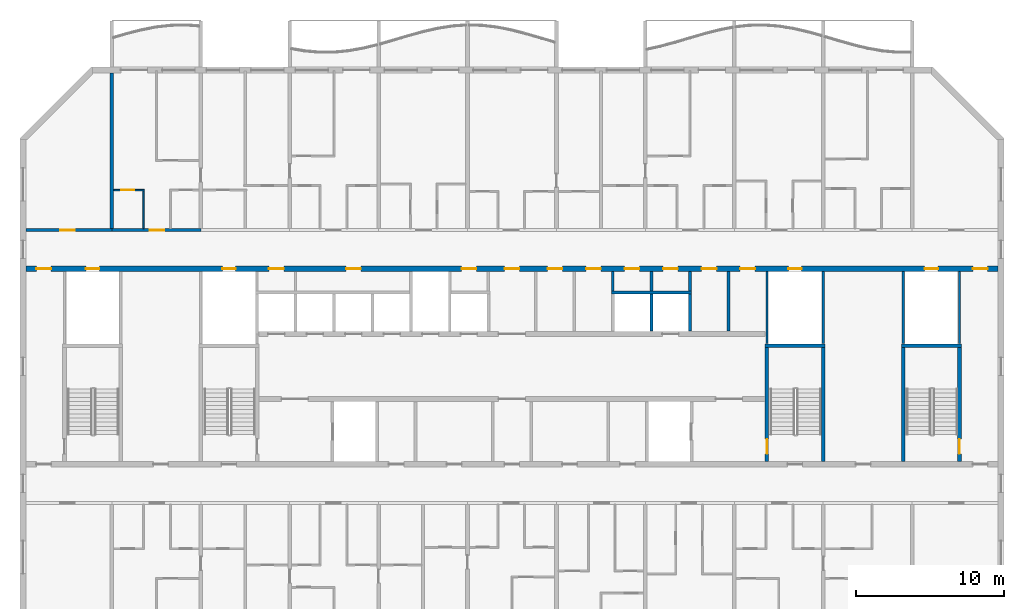
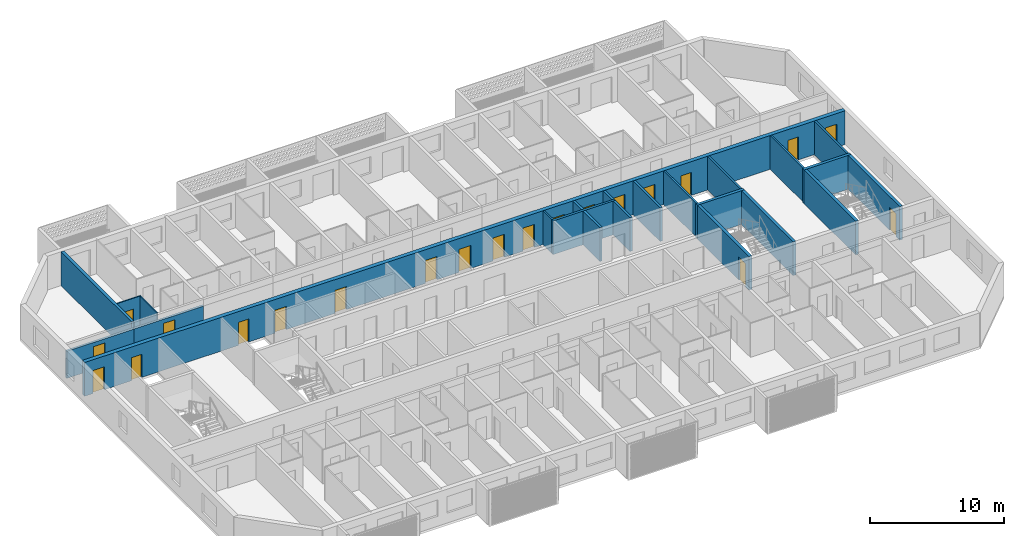
# One storey, part 7 of 29: 23 walls, 21 doors, 21 openings.
"""IFC4 building model written with IfcOpenShell, lengths in metres."""

from ifc_helpers import new_model, si_unit, direction, frame, frame_2d, origin, place, context, subcontext, project, spatial, rectangle, extrude, material, layer, layer_set, type_object, element, fill, save


model = new_model("IFC4")

# Units and contexts
model_context = context("Model", 3, precision=1e-05, world=origin(), true_north=direction((0.0, 1.0)))
body_context = subcontext(model_context, "Body", "Model", "MODEL_VIEW")
ifc_project = project(units=[si_unit("LENGTHUNIT", "METRE"), si_unit("AREAUNIT", "SQUARE_METRE"), si_unit("VOLUMEUNIT", "CUBIC_METRE"), si_unit("PLANEANGLEUNIT", "RADIAN"), si_unit("MASSUNIT", "GRAM", prefix="KILO")], contexts=[model_context])

# Site, building, storey
site_placement = place(None, origin())
site = spatial("IfcSite", under=ifc_project, at=site_placement, CompositionType="ELEMENT")
building_placement = place(site_placement, origin())
building = spatial("IfcBuilding", under=site, at=building_placement, Name="Poui Terraces", CompositionType="ELEMENT")
storey_placement = place(building_placement, frame((0.0, 0.0, 234.60009765625)))
storey = spatial("IfcBuildingStorey", under=building, at=storey_placement, Name="L65", CompositionType="ELEMENT", Elevation=234.60009765625)

# Wall, opening, door
ifc_material_1 = material(Name="Concrete 50 MPa", Category="concrete")
ifc_layer_1 = layer(ifc_material_1, 0.199951171875)
ifc_layer_set_1 = layer_set([ifc_layer_1], Name="Concrete 50 MPa")
wall_type_1 = type_object("IfcWallType", Name="CORRIDOR WALL 200 50MPa", PredefinedType="SHEAR", material=ifc_layer_set_1)
wall_1_placement = place(storey_placement, frame((18.199951171875, 30.39990234375, 0.0), z_axis=(0.0, 0.0, 1.0), x_axis=(1.0, 0.0, 0.0)))
wall_1 = element("IfcWall", 1, at=wall_1_placement, inside=storey, type_object=wall_type_1, Name="CORRIDOR WALL LINE E BAY 1", PredefinedType="SHEAR", context=body_context, shape_type="SweptSolid", body=[
    extrude(rectangle(XDim=5.800048828125, YDim=0.199951171875, at=frame_2d((2.89990234375, 0.0))), origin(), (0.0, 0.0, 1.0), 2.47998046875),
])
opening_1_placement = place(wall_1_placement, frame((2.300048828125, 0.0, 0.0)))
opening_1 = element("IfcOpeningElement", 2, at=opening_1_placement, cuts=wall_1, Name="Opening D100", PredefinedType="OPENING", context=body_context, shape_type="SweptSolid", body=[
    extrude(rectangle(XDim=1.0, YDim=2.10009765625, at=frame_2d((0.5, 1.050048828125))), frame((0.0, 0.10986328125, 0.0), z_axis=(0.0, -1.0, 0.0), x_axis=(1.0, 0.0, 0.0)), (0.0, 0.0, 1.0), 0.219970703125),
])
ifc_material_2 = material(Name="Solid core timber door", Category="wood")
door_type_1 = type_object("IfcDoorType", Name="ACCESSIBLE INTERNAL DOOR 1000 X 2100", OperationType="NOTDEFINED", PredefinedType="DOOR", material=ifc_material_2)
door_1_placement = place(opening_1_placement, origin())
door_1 = element("IfcDoor", 3, at=door_1_placement, inside=storey, type_object=door_type_1, Name="ACCESSIBLE INTERNAL DOOR 028", OperationType="SINGLE_SWING_LEFT", OverallHeight=2.10009765625, OverallWidth=1.0, PredefinedType="DOOR", context=body_context, shape_type="SweptSolid", body=[
    extrude(rectangle(XDim=1.0, YDim=2.10009765625, at=frame_2d((0.5, 1.050048828125))), frame((0.0, 0.02490234375, 0.0), z_axis=(0.0, -1.0, 0.0), x_axis=(1.0, 0.0, 0.0)), (0.0, 0.0, 1.0), 0.050048828125),
])
fill(opening_1, door_1)

wall_2_placement = place(storey_placement, frame((24.0, 30.39990234375, 0.0), z_axis=(0.0, 0.0, 1.0), x_axis=(1.0, 0.0, 0.0)))
wall_2 = element("IfcWall", 4, at=wall_2_placement, inside=storey, type_object=wall_type_1, Name="CORRIDOR WALL LINE E BAY 2", PredefinedType="SHEAR", context=body_context, shape_type="SweptSolid", body=[
    extrude(rectangle(XDim=6.0, YDim=0.199951171875, at=frame_2d((3.0, 0.0))), origin(), (0.0, 0.0, 1.0), 2.47998046875),
])
opening_2_placement = place(wall_2_placement, frame((2.550048828125, 0.0, 0.0)))
opening_2 = element("IfcOpeningElement", 5, at=opening_2_placement, cuts=wall_2, Name="Opening FD30S", PredefinedType="OPENING", context=body_context, shape_type="SweptSolid", body=[
    extrude(rectangle(XDim=1.0, YDim=2.10009765625, at=frame_2d((0.5, 1.050048828125))), frame((0.0, 0.10986328125, 0.0), z_axis=(0.0, -1.0, 0.0), x_axis=(1.0, 0.0, 0.0)), (0.0, 0.0, 1.0), 0.219970703125),
])
ifc_material_3 = material(Name="Steel fire door", Category="steel")
door_type_2 = type_object("IfcDoorType", Name="FLAT ENTRANCE DOOR 1000 X 2100", OperationType="NOTDEFINED", PredefinedType="DOOR", material=ifc_material_3)
door_2_placement = place(opening_2_placement, origin())
door_2 = element("IfcDoor", 6, at=door_2_placement, inside=storey, type_object=door_type_2, Name="FLAT ENTRANCE DOOR 031", OperationType="SINGLE_SWING_RIGHT", OverallHeight=2.10009765625, OverallWidth=1.0, PredefinedType="DOOR", context=body_context, shape_type="SweptSolid", body=[
    extrude(rectangle(XDim=1.0, YDim=2.10009765625, at=frame_2d((0.5, 1.050048828125))), frame((0.0, 0.02490234375, 0.0), z_axis=(0.0, -1.0, 0.0), x_axis=(1.0, 0.0, 0.0)), (0.0, 0.0, 1.0), 0.050048828125),
])
fill(opening_2, door_2)

# Wall
ifc_layer_2 = layer(ifc_material_1, 0.25)
ifc_layer_set_2 = layer_set([ifc_layer_2], Name="Concrete 50 MPa")
wall_type_2 = type_object("IfcWallType", Name="CROSS WALL 250 50MPa", PredefinedType="SHEAR", material=ifc_layer_set_2)
wall_3_placement = place(storey_placement, frame((24.0, 30.5, 0.0), z_axis=(0.0, 0.0, 1.0), x_axis=(0.0, 1.0, 0.0)))
element("IfcWall", 7, at=wall_3_placement, inside=storey, type_object=wall_type_2, Name="CROSS WALL LINE 5 NORTH", PredefinedType="SHEAR", context=body_context, shape_type="SweptSolid", body=[
    extrude(rectangle(XDim=10.5, YDim=0.25, at=frame_2d((5.25, 0.0))), origin(), (0.0, 0.0, 1.0), 3.079833984375),
])

# Wall, opening, door
ifc_material_4 = material(Name="Plasterboard partition")
ifc_layer_3 = layer(ifc_material_4, 0.10009765625)
ifc_layer_set_3 = layer_set([ifc_layer_3], Name="Plasterboard partition")
wall_type_3 = type_object("IfcWallType", Name="FLAT PARTITION 100", PredefinedType="PARTITIONING", material=ifc_layer_set_3)
wall_4_placement = place(storey_placement, frame((24.135009765625, 33.10009765625, 0.0), z_axis=(0.0, 0.0, 1.0), x_axis=(1.0, 0.0, 0.0)))
wall_4 = element("IfcWall", 8, at=wall_4_placement, inside=storey, type_object=wall_type_3, Name="FLAT PARTITION 100", PredefinedType="PARTITIONING", context=body_context, shape_type="SweptSolid", body=[
    extrude(rectangle(XDim=2.06494140625, YDim=0.10009765625, at=frame_2d((1.032470703125, 0.0))), origin(), (0.0, 0.0, 1.0), 3.079833984375),
])
opening_3_placement = place(wall_4_placement, frame((0.489990234375, 0.0, 0.0)))
opening_3 = element("IfcOpeningElement", 9, at=opening_3_placement, cuts=wall_4, Name="Opening D90", PredefinedType="OPENING", context=body_context, shape_type="SweptSolid", body=[
    extrude(rectangle(XDim=0.89990234375, YDim=2.10009765625, at=frame_2d((0.449951171875, 1.050048828125))), frame((0.0, 0.06005859375, 0.0), z_axis=(0.0, -1.0, 0.0), x_axis=(1.0, 0.0, 0.0)), (0.0, 0.0, 1.0), 0.1201171875),
])
door_type_3 = type_object("IfcDoorType", Name="INTERNAL DOOR 900 X 2100", OperationType="NOTDEFINED", PredefinedType="DOOR", material=ifc_material_2)
door_3_placement = place(opening_3_placement, frame((0.89990234375, 0.0, 0.0), z_axis=(0.0, 0.0, 1.0), x_axis=(-1.0, 0.0, 0.0)))
door_3 = element("IfcDoor", 10, at=door_3_placement, inside=storey, type_object=door_type_3, Name="INTERNAL DOOR 030", OperationType="SINGLE_SWING_LEFT", OverallHeight=2.10009765625, OverallWidth=0.89990234375, PredefinedType="DOOR", context=body_context, shape_type="SweptSolid", body=[
    extrude(rectangle(XDim=0.89990234375, YDim=2.10009765625, at=frame_2d((0.449951171875, 1.050048828125))), frame((0.0, 0.02490234375, 0.0), z_axis=(0.0, -1.0, 0.0), x_axis=(1.0, 0.0, 0.0)), (0.0, 0.0, 1.0), 0.050048828125),
])
fill(opening_3, door_3)

# Walls
wall_5_placement = place(storey_placement, frame((26.14990234375, 30.510009765625, 0.0), z_axis=(0.0, 0.0, 1.0), x_axis=(0.0, 1.0, 0.0)))
element("IfcWall", 11, at=wall_5_placement, inside=storey, type_object=wall_type_3, Name="FLAT PARTITION 100", PredefinedType="PARTITIONING", context=body_context, shape_type="SweptSolid", body=[
    extrude(rectangle(XDim=2.5400390625, YDim=0.10009765625, at=frame_2d((1.27001953125, 0.0))), origin(), (0.0, 0.0, 1.0), 3.079833984375),
])
ifc_layer_4 = layer(ifc_material_4, 0.14990234375)
ifc_layer_set_4 = layer_set([ifc_layer_4], Name="Plasterboard partition")
wall_type_4 = type_object("IfcWallType", Name="PARTITION WALL 150", PredefinedType="PARTITIONING", material=ifc_layer_set_4)
wall_6_placement = place(storey_placement, frame((57.800048828125, 26.300048828125, 0.0), z_axis=(0.0, 0.0, 1.0), x_axis=(0.0, 1.0, 0.0)))
element("IfcWall", 12, at=wall_6_placement, inside=storey, type_object=wall_type_4, Name="PARTITION WALL 150", PredefinedType="PARTITIONING", context=body_context, shape_type="SweptSolid", body=[
    extrude(rectangle(XDim=1.31494140625, YDim=0.14990234375, at=frame_2d((0.657470703125, 0.0))), origin(), (0.0, 0.0, 1.0), 3.079833984375),
])
ifc_material_5 = material(Name="Fire-rated masonry wall", Category="masonry")
ifc_layer_5 = layer(ifc_material_5, 0.199951171875)
ifc_layer_set_5 = layer_set([ifc_layer_5], Name="Fire-rated masonry wall")
wall_type_5 = type_object("IfcWallType", Name="PLANT ROOM WALL 200", PredefinedType="PARTITIONING", material=ifc_layer_set_5)
for number, where, z_axis, x_axis, name in (
    (13, (60.39990234375, 26.300048828125, 0.0), (0.0, 0.0, 1.0), (0.0, 1.0, 0.0), "PLANT ROOM WALL 200"),
    (14, (63.0, 26.300048828125, 0.0), (0.0, 0.0, 1.0), (0.0, 1.0, 0.0), "PLANT ROOM WALL 200"),
):
    element("IfcWall", number, at=place(storey_placement, frame(where, z_axis=z_axis, x_axis=x_axis)), inside=storey, type_object=wall_type_5, Name=name, PredefinedType="PARTITIONING", context=body_context, shape_type="SweptSolid", body=[
        extrude(rectangle(XDim=1.31494140625, YDim=0.199951171875, at=frame_2d((0.657470703125, 0.0))), origin(), (0.0, 0.0, 1.0), 3.079833984375),
    ])
wall_7_placement = place(storey_placement, frame((65.60009765625, 23.5849609375, 0.0), z_axis=(0.0, 0.0, 1.0), x_axis=(0.0, 1.0, 0.0)))
element("IfcWall", 15, at=wall_7_placement, inside=storey, type_object=wall_type_5, Name="PLANT ROOM WALL 200", PredefinedType="PARTITIONING", context=body_context, shape_type="SweptSolid", body=[
    extrude(rectangle(XDim=4.030029296875, YDim=0.199951171875, at=frame_2d((2.01513671875, 0.0))), origin(), (0.0, 0.0, 1.0), 3.079833984375),
])
ifc_material_6 = material(Name="Fire-rated plasterboard riser wall")
ifc_layer_6 = layer(ifc_material_6, 0.14990234375)
ifc_layer_set_6 = layer_set([ifc_layer_6], Name="Fire-rated plasterboard riser wall")
wall_type_6 = type_object("IfcWallType", Name="RISER WALL 150", PredefinedType="PARTITIONING", material=ifc_layer_set_6)
for number, where, z_axis, x_axis, name in (
    (16, (68.199951171875, 22.735107421875, 0.0), (0.0, 0.0, 1.0), (0.0, 1.0, 0.0), "RISER WALL 150"),
    (17, (72.0, 22.735107421875, 0.0), (0.0, 0.0, 1.0), (0.0, 1.0, 0.0), "RISER WALL 150"),
    (18, (77.39990234375, 22.735107421875, 0.0), (0.0, 0.0, 1.0), (0.0, 1.0, 0.0), "RISER WALL 150"),
    (19, (81.199951171875, 22.735107421875, 0.0), (0.0, 0.0, 1.0), (0.0, 1.0, 0.0), "RISER WALL 150"),
):
    element("IfcWall", number, at=place(storey_placement, frame(where, z_axis=z_axis, x_axis=x_axis)), inside=storey, type_object=wall_type_6, Name=name, PredefinedType="PARTITIONING", context=body_context, shape_type="SweptSolid", body=[
        extrude(rectangle(XDim=4.8798828125, YDim=0.14990234375, at=frame_2d((2.43994140625, 0.0))), origin(), (0.0, 0.0, 1.0), 3.079833984375),
    ])
ifc_material_7 = material(Name="Fire-rated masonry shaft wall", Category="masonry")
ifc_layer_7 = layer(ifc_material_7, 0.199951171875)
ifc_layer_set_7 = layer_set([ifc_layer_7], Name="Fire-rated masonry shaft wall")
wall_type_7 = type_object("IfcWallType", Name="SHAFT WALL 200", PredefinedType="PARTITIONING", material=ifc_layer_set_7)
wall_8_placement = place(storey_placement, frame((57.699951171875, 26.199951171875, 0.0), z_axis=(0.0, 0.0, 1.0), x_axis=(1.0, 0.0, 0.0)))
element("IfcWall", 20, at=wall_8_placement, inside=storey, type_object=wall_type_7, Name="SHAFT WALL 200", PredefinedType="PARTITIONING", context=body_context, shape_type="SweptSolid", body=[
    extrude(rectangle(XDim=5.400146484375, YDim=0.199951171875, at=frame_2d((2.7001953125, 0.0))), origin(), (0.0, 0.0, 1.0), 3.079833984375),
])
for number, where, z_axis, x_axis, name in (
    (21, (60.39990234375, 23.5849609375, 0.0), (0.0, 0.0, 1.0), (0.0, 1.0, 0.0), "SHAFT WALL 200"),
    (22, (63.0, 23.5849609375, 0.0), (0.0, 0.0, 1.0), (0.0, 1.0, 0.0), "SHAFT WALL 200"),
):
    element("IfcWall", number, at=place(storey_placement, frame(where, z_axis=z_axis, x_axis=x_axis)), inside=storey, type_object=wall_type_7, Name=name, PredefinedType="PARTITIONING", context=body_context, shape_type="SweptSolid", body=[
        extrude(rectangle(XDim=2.51513671875, YDim=0.199951171875, at=frame_2d((1.257568359375, 0.0))), origin(), (0.0, 0.0, 1.0), 3.079833984375),
    ])

# Wall, openings, doors
ifc_layer_8 = layer(ifc_material_1, 0.35009765625)
ifc_layer_set_8 = layer_set([ifc_layer_8], Name="Concrete 50 MPa")
wall_type_8 = type_object("IfcWallType", Name="SPINE WALL 350 50 MPA", PredefinedType="SOLIDWALL", material=ifc_layer_set_8)
wall_9_placement = place(storey_placement, frame((18.199951171875, 27.800048828125, 0.0), z_axis=(0.0, 0.0, 1.0), x_axis=(1.0, 0.0, 0.0)))
wall_9 = element("IfcWall", 23, at=wall_9_placement, inside=storey, type_object=wall_type_8, Name="SPINE WALL", PredefinedType="SOLIDWALL", context=body_context, shape_type="SweptSolid", body=[
    extrude(rectangle(XDim=65.60009765625, YDim=0.35009765625, at=frame_2d((32.800048828125, 0.0))), origin(), (0.0, 0.0, 1.0), 3.079833984375),
])
opening_4_placement = place(wall_9_placement, frame((0.699951171875, 0.0, 0.0)))
opening_4 = element("IfcOpeningElement", 24, at=opening_4_placement, cuts=wall_9, Name="Opening FDL", PredefinedType="OPENING", context=body_context, shape_type="SweptSolid", body=[
    extrude(rectangle(XDim=1.0, YDim=2.10009765625, at=frame_2d((0.5, 1.050048828125))), frame((0.0, 0.18505859375, 0.0), z_axis=(0.0, -1.0, 0.0), x_axis=(1.0, 0.0, 0.0)), (0.0, 0.0, 1.0), 0.3701171875),
])
opening_5_placement = place(wall_9_placement, frame((4.050048828125, 0.0, 0.0)))
opening_5 = element("IfcOpeningElement", 25, at=opening_5_placement, cuts=wall_9, Name="Opening FDR", PredefinedType="OPENING", context=body_context, shape_type="SweptSolid", body=[
    extrude(rectangle(XDim=0.89990234375, YDim=2.10009765625, at=frame_2d((0.449951171875, 1.050048828125))), frame((0.0, 0.18505859375, 0.0), z_axis=(0.0, -1.0, 0.0), x_axis=(1.0, 0.0, 0.0)), (0.0, 0.0, 1.0), 0.3701171875),
])
opening_6_placement = place(wall_9_placement, frame((13.25, 0.0, 0.0)))
opening_6 = element("IfcOpeningElement", 26, at=opening_6_placement, cuts=wall_9, Name="Opening FDR", PredefinedType="OPENING", context=body_context, shape_type="SweptSolid", body=[
    extrude(rectangle(XDim=0.89990234375, YDim=2.10009765625, at=frame_2d((0.449951171875, 1.050048828125))), frame((0.0, 0.18505859375, 0.0), z_axis=(0.0, -1.0, 0.0), x_axis=(1.0, 0.0, 0.0)), (0.0, 0.0, 1.0), 0.3701171875),
])
opening_7_placement = place(wall_9_placement, frame((16.39990234375, 0.0, 0.0)))
opening_7 = element("IfcOpeningElement", 27, at=opening_7_placement, cuts=wall_9, Name="Opening FD60", PredefinedType="OPENING", context=body_context, shape_type="SweptSolid", body=[
    extrude(rectangle(XDim=1.0, YDim=2.10009765625, at=frame_2d((0.5, 1.050048828125))), frame((0.0, 0.18505859375, 0.0), z_axis=(0.0, -1.0, 0.0), x_axis=(1.0, 0.0, 0.0)), (0.0, 0.0, 1.0), 0.3701171875),
])
opening_8_placement = place(wall_9_placement, frame((21.60009765625, 0.0, 0.0)))
opening_8 = element("IfcOpeningElement", 28, at=opening_8_placement, cuts=wall_9, Name="Opening FD60", PredefinedType="OPENING", context=body_context, shape_type="SweptSolid", body=[
    extrude(rectangle(XDim=1.0, YDim=2.10009765625, at=frame_2d((0.5, 1.050048828125))), frame((0.0, 0.18505859375, 0.0), z_axis=(0.0, -1.0, 0.0), x_axis=(1.0, 0.0, 0.0)), (0.0, 0.0, 1.0), 0.3701171875),
])
opening_9_placement = place(wall_9_placement, frame((29.39990234375, 0.0, 0.0)))
opening_9 = element("IfcOpeningElement", 29, at=opening_9_placement, cuts=wall_9, Name="Opening FD60", PredefinedType="OPENING", context=body_context, shape_type="SweptSolid", body=[
    extrude(rectangle(XDim=1.0, YDim=2.10009765625, at=frame_2d((0.5, 1.050048828125))), frame((0.0, 0.18505859375, 0.0), z_axis=(0.0, -1.0, 0.0), x_axis=(1.0, 0.0, 0.0)), (0.0, 0.0, 1.0), 0.3701171875),
])
opening_10_placement = place(wall_9_placement, frame((32.300048828125, 0.0, 0.0)))
opening_10 = element("IfcOpeningElement", 30, at=opening_10_placement, cuts=wall_9, Name="Opening FDL", PredefinedType="OPENING", context=body_context, shape_type="SweptSolid", body=[
    extrude(rectangle(XDim=1.0, YDim=2.10009765625, at=frame_2d((0.5, 1.050048828125))), frame((0.0, 0.18505859375, 0.0), z_axis=(0.0, -1.0, 0.0), x_axis=(1.0, 0.0, 0.0)), (0.0, 0.0, 1.0), 0.3701171875),
])
opening_11_placement = place(wall_9_placement, frame((35.199951171875, 0.0, 0.0)))
opening_11 = element("IfcOpeningElement", 31, at=opening_11_placement, cuts=wall_9, Name="Opening FD60", PredefinedType="OPENING", context=body_context, shape_type="SweptSolid", body=[
    extrude(rectangle(XDim=1.0, YDim=2.10009765625, at=frame_2d((0.5, 1.050048828125))), frame((0.0, 0.18505859375, 0.0), z_axis=(0.0, -1.0, 0.0), x_axis=(1.0, 0.0, 0.0)), (0.0, 0.0, 1.0), 0.3701171875),
])
opening_12_placement = place(wall_9_placement, frame((37.800048828125, 0.0, 0.0)))
opening_12 = element("IfcOpeningElement", 32, at=opening_12_placement, cuts=wall_9, Name="Opening FD60", PredefinedType="OPENING", context=body_context, shape_type="SweptSolid", body=[
    extrude(rectangle(XDim=1.0, YDim=2.10009765625, at=frame_2d((0.5, 1.050048828125))), frame((0.0, 0.18505859375, 0.0), z_axis=(0.0, -1.0, 0.0), x_axis=(1.0, 0.0, 0.0)), (0.0, 0.0, 1.0), 0.3701171875),
])
opening_13_placement = place(wall_9_placement, frame((40.39990234375, 0.0, 0.0)))
opening_13 = element("IfcOpeningElement", 33, at=opening_13_placement, cuts=wall_9, Name="Opening FD60", PredefinedType="OPENING", context=body_context, shape_type="SweptSolid", body=[
    extrude(rectangle(XDim=1.0, YDim=2.10009765625, at=frame_2d((0.5, 1.050048828125))), frame((0.0, 0.18505859375, 0.0), z_axis=(0.0, -1.0, 0.0), x_axis=(1.0, 0.0, 0.0)), (0.0, 0.0, 1.0), 0.3701171875),
])
opening_14_placement = place(wall_9_placement, frame((43.0, 0.0, 0.0)))
opening_14 = element("IfcOpeningElement", 34, at=opening_14_placement, cuts=wall_9, Name="Opening FD60", PredefinedType="OPENING", context=body_context, shape_type="SweptSolid", body=[
    extrude(rectangle(XDim=1.0, YDim=2.10009765625, at=frame_2d((0.5, 1.050048828125))), frame((0.0, 0.18505859375, 0.0), z_axis=(0.0, -1.0, 0.0), x_axis=(1.0, 0.0, 0.0)), (0.0, 0.0, 1.0), 0.3701171875),
])
opening_15_placement = place(wall_9_placement, frame((45.60009765625, 0.0, 0.0)))
opening_15 = element("IfcOpeningElement", 35, at=opening_15_placement, cuts=wall_9, Name="Opening FD60", PredefinedType="OPENING", context=body_context, shape_type="SweptSolid", body=[
    extrude(rectangle(XDim=1.0, YDim=2.10009765625, at=frame_2d((0.5, 1.050048828125))), frame((0.0, 0.18505859375, 0.0), z_axis=(0.0, -1.0, 0.0), x_axis=(1.0, 0.0, 0.0)), (0.0, 0.0, 1.0), 0.3701171875),
])
opening_16_placement = place(wall_9_placement, frame((48.199951171875, 0.0, 0.0)))
opening_16 = element("IfcOpeningElement", 36, at=opening_16_placement, cuts=wall_9, Name="Opening FD60", PredefinedType="OPENING", context=body_context, shape_type="SweptSolid", body=[
    extrude(rectangle(XDim=1.0, YDim=2.10009765625, at=frame_2d((0.5, 1.050048828125))), frame((0.0, 0.18505859375, 0.0), z_axis=(0.0, -1.0, 0.0), x_axis=(1.0, 0.0, 0.0)), (0.0, 0.0, 1.0), 0.3701171875),
])
opening_17_placement = place(wall_9_placement, frame((51.449951171875, 0.0, 0.0)))
opening_17 = element("IfcOpeningElement", 37, at=opening_17_placement, cuts=wall_9, Name="Opening FDR", PredefinedType="OPENING", context=body_context, shape_type="SweptSolid", body=[
    extrude(rectangle(XDim=0.89990234375, YDim=2.10009765625, at=frame_2d((0.449951171875, 1.050048828125))), frame((0.0, 0.18505859375, 0.0), z_axis=(0.0, -1.0, 0.0), x_axis=(1.0, 0.0, 0.0)), (0.0, 0.0, 1.0), 0.3701171875),
])
opening_18_placement = place(wall_9_placement, frame((60.64990234375, 0.0, 0.0)))
opening_18 = element("IfcOpeningElement", 38, at=opening_18_placement, cuts=wall_9, Name="Opening FDR", PredefinedType="OPENING", context=body_context, shape_type="SweptSolid", body=[
    extrude(rectangle(XDim=0.89990234375, YDim=2.10009765625, at=frame_2d((0.449951171875, 1.050048828125))), frame((0.0, 0.18505859375, 0.0), z_axis=(0.0, -1.0, 0.0), x_axis=(1.0, 0.0, 0.0)), (0.0, 0.0, 1.0), 0.3701171875),
])
opening_19_placement = place(wall_9_placement, frame((63.89990234375, 0.0, 0.0)))
opening_19 = element("IfcOpeningElement", 39, at=opening_19_placement, cuts=wall_9, Name="Opening FDL", PredefinedType="OPENING", context=body_context, shape_type="SweptSolid", body=[
    extrude(rectangle(XDim=1.0, YDim=2.10009765625, at=frame_2d((0.5, 1.050048828125))), frame((0.0, 0.18505859375, 0.0), z_axis=(0.0, -1.0, 0.0), x_axis=(1.0, 0.0, 0.0)), (0.0, 0.0, 1.0), 0.3701171875),
])
door_type_4 = type_object("IfcDoorType", Name="LOBBY FIRE DOOR 1000 X 2100", OperationType="NOTDEFINED", PredefinedType="DOOR", material=ifc_material_3)
door_4_placement = place(opening_4_placement, origin())
door_4 = element("IfcDoor", 40, at=door_4_placement, inside=storey, type_object=door_type_4, Name="LOBBY FIRE DOOR 001", OperationType="SINGLE_SWING_LEFT", OverallHeight=2.10009765625, OverallWidth=1.0, PredefinedType="DOOR", context=body_context, shape_type="SweptSolid", body=[
    extrude(rectangle(XDim=1.0, YDim=2.10009765625, at=frame_2d((0.5, 1.050048828125))), frame((0.0, 0.02490234375, 0.0), z_axis=(0.0, -1.0, 0.0), x_axis=(1.0, 0.0, 0.0)), (0.0, 0.0, 1.0), 0.050048828125),
])
fill(opening_4, door_4)
door_5_placement = place(opening_10_placement, origin())
door_5 = element("IfcDoor", 41, at=door_5_placement, inside=storey, type_object=door_type_4, Name="LOBBY FIRE DOOR 007", OperationType="SINGLE_SWING_RIGHT", OverallHeight=2.10009765625, OverallWidth=1.0, PredefinedType="DOOR", context=body_context, shape_type="SweptSolid", body=[
    extrude(rectangle(XDim=1.0, YDim=2.10009765625, at=frame_2d((0.5, 1.050048828125))), frame((0.0, 0.02490234375, 0.0), z_axis=(0.0, -1.0, 0.0), x_axis=(1.0, 0.0, 0.0)), (0.0, 0.0, 1.0), 0.050048828125),
])
fill(opening_10, door_5)
door_6_placement = place(opening_19_placement, origin())
door_6 = element("IfcDoor", 42, at=door_6_placement, inside=storey, type_object=door_type_4, Name="LOBBY FIRE DOOR 016", OperationType="SINGLE_SWING_RIGHT", OverallHeight=2.10009765625, OverallWidth=1.0, PredefinedType="DOOR", context=body_context, shape_type="SweptSolid", body=[
    extrude(rectangle(XDim=1.0, YDim=2.10009765625, at=frame_2d((0.5, 1.050048828125))), frame((0.0, 0.02490234375, 0.0), z_axis=(0.0, -1.0, 0.0), x_axis=(1.0, 0.0, 0.0)), (0.0, 0.0, 1.0), 0.050048828125),
])
fill(opening_19, door_6)
door_type_5 = type_object("IfcDoorType", Name="RISER CUPBOARD DOOR 900 X 2100", OperationType="NOTDEFINED", PredefinedType="DOOR", material=ifc_material_3)
door_7_placement = place(opening_5_placement, origin())
door_7 = element("IfcDoor", 43, at=door_7_placement, inside=storey, type_object=door_type_5, Name="RISER CUPBOARD DOOR 002", OperationType="SINGLE_SWING_LEFT", OverallHeight=2.10009765625, OverallWidth=0.89990234375, PredefinedType="DOOR", context=body_context, shape_type="SweptSolid", body=[
    extrude(rectangle(XDim=0.89990234375, YDim=2.10009765625, at=frame_2d((0.449951171875, 1.050048828125))), frame((0.0, 0.02490234375, 0.0), z_axis=(0.0, -1.0, 0.0), x_axis=(1.0, 0.0, 0.0)), (0.0, 0.0, 1.0), 0.050048828125),
])
fill(opening_5, door_7)
door_8_placement = place(opening_6_placement, origin())
door_8 = element("IfcDoor", 44, at=door_8_placement, inside=storey, type_object=door_type_5, Name="RISER CUPBOARD DOOR 003", OperationType="SINGLE_SWING_LEFT", OverallHeight=2.10009765625, OverallWidth=0.89990234375, PredefinedType="DOOR", context=body_context, shape_type="SweptSolid", body=[
    extrude(rectangle(XDim=0.89990234375, YDim=2.10009765625, at=frame_2d((0.449951171875, 1.050048828125))), frame((0.0, 0.02490234375, 0.0), z_axis=(0.0, -1.0, 0.0), x_axis=(1.0, 0.0, 0.0)), (0.0, 0.0, 1.0), 0.050048828125),
])
fill(opening_6, door_8)
door_9_placement = place(opening_17_placement, origin())
door_9 = element("IfcDoor", 45, at=door_9_placement, inside=storey, type_object=door_type_5, Name="RISER CUPBOARD DOOR 014", OperationType="SINGLE_SWING_RIGHT", OverallHeight=2.10009765625, OverallWidth=0.89990234375, PredefinedType="DOOR", context=body_context, shape_type="SweptSolid", body=[
    extrude(rectangle(XDim=0.89990234375, YDim=2.10009765625, at=frame_2d((0.449951171875, 1.050048828125))), frame((0.0, 0.02490234375, 0.0), z_axis=(0.0, -1.0, 0.0), x_axis=(1.0, 0.0, 0.0)), (0.0, 0.0, 1.0), 0.050048828125),
])
fill(opening_17, door_9)
door_10_placement = place(opening_18_placement, origin())
door_10 = element("IfcDoor", 46, at=door_10_placement, inside=storey, type_object=door_type_5, Name="RISER CUPBOARD DOOR 015", OperationType="SINGLE_SWING_RIGHT", OverallHeight=2.10009765625, OverallWidth=0.89990234375, PredefinedType="DOOR", context=body_context, shape_type="SweptSolid", body=[
    extrude(rectangle(XDim=0.89990234375, YDim=2.10009765625, at=frame_2d((0.449951171875, 1.050048828125))), frame((0.0, 0.02490234375, 0.0), z_axis=(0.0, -1.0, 0.0), x_axis=(1.0, 0.0, 0.0)), (0.0, 0.0, 1.0), 0.050048828125),
])
fill(opening_18, door_10)
door_type_6 = type_object("IfcDoorType", Name="SERVICE ROOM FIRE DOOR 1000 X 2100", OperationType="NOTDEFINED", PredefinedType="DOOR", material=ifc_material_3)
door_11_placement = place(opening_7_placement, origin())
door_11 = element("IfcDoor", 47, at=door_11_placement, inside=storey, type_object=door_type_6, Name="SERVICE ROOM FIRE DOOR 004", OperationType="SINGLE_SWING_LEFT", OverallHeight=2.10009765625, OverallWidth=1.0, PredefinedType="DOOR", context=body_context, shape_type="SweptSolid", body=[
    extrude(rectangle(XDim=1.0, YDim=2.10009765625, at=frame_2d((0.5, 1.050048828125))), frame((0.0, 0.02490234375, 0.0), z_axis=(0.0, -1.0, 0.0), x_axis=(1.0, 0.0, 0.0)), (0.0, 0.0, 1.0), 0.050048828125),
])
fill(opening_7, door_11)
door_12_placement = place(opening_8_placement, origin())
door_12 = element("IfcDoor", 48, at=door_12_placement, inside=storey, type_object=door_type_6, Name="SERVICE ROOM FIRE DOOR 005", OperationType="SINGLE_SWING_RIGHT", OverallHeight=2.10009765625, OverallWidth=1.0, PredefinedType="DOOR", context=body_context, shape_type="SweptSolid", body=[
    extrude(rectangle(XDim=1.0, YDim=2.10009765625, at=frame_2d((0.5, 1.050048828125))), frame((0.0, 0.02490234375, 0.0), z_axis=(0.0, -1.0, 0.0), x_axis=(1.0, 0.0, 0.0)), (0.0, 0.0, 1.0), 0.050048828125),
])
fill(opening_8, door_12)
door_13_placement = place(opening_9_placement, origin())
door_13 = element("IfcDoor", 49, at=door_13_placement, inside=storey, type_object=door_type_6, Name="SERVICE ROOM FIRE DOOR 006", OperationType="SINGLE_SWING_LEFT", OverallHeight=2.10009765625, OverallWidth=1.0, PredefinedType="DOOR", context=body_context, shape_type="SweptSolid", body=[
    extrude(rectangle(XDim=1.0, YDim=2.10009765625, at=frame_2d((0.5, 1.050048828125))), frame((0.0, 0.02490234375, 0.0), z_axis=(0.0, -1.0, 0.0), x_axis=(1.0, 0.0, 0.0)), (0.0, 0.0, 1.0), 0.050048828125),
])
fill(opening_9, door_13)
door_14_placement = place(opening_11_placement, origin())
door_14 = element("IfcDoor", 50, at=door_14_placement, inside=storey, type_object=door_type_6, Name="SERVICE ROOM FIRE DOOR 008", OperationType="SINGLE_SWING_RIGHT", OverallHeight=2.10009765625, OverallWidth=1.0, PredefinedType="DOOR", context=body_context, shape_type="SweptSolid", body=[
    extrude(rectangle(XDim=1.0, YDim=2.10009765625, at=frame_2d((0.5, 1.050048828125))), frame((0.0, 0.02490234375, 0.0), z_axis=(0.0, -1.0, 0.0), x_axis=(1.0, 0.0, 0.0)), (0.0, 0.0, 1.0), 0.050048828125),
])
fill(opening_11, door_14)
door_15_placement = place(opening_12_placement, origin())
door_15 = element("IfcDoor", 51, at=door_15_placement, inside=storey, type_object=door_type_6, Name="SERVICE ROOM FIRE DOOR 009", OperationType="SINGLE_SWING_LEFT", OverallHeight=2.10009765625, OverallWidth=1.0, PredefinedType="DOOR", context=body_context, shape_type="SweptSolid", body=[
    extrude(rectangle(XDim=1.0, YDim=2.10009765625, at=frame_2d((0.5, 1.050048828125))), frame((0.0, 0.02490234375, 0.0), z_axis=(0.0, -1.0, 0.0), x_axis=(1.0, 0.0, 0.0)), (0.0, 0.0, 1.0), 0.050048828125),
])
fill(opening_12, door_15)
door_16_placement = place(opening_13_placement, origin())
door_16 = element("IfcDoor", 52, at=door_16_placement, inside=storey, type_object=door_type_6, Name="SERVICE ROOM FIRE DOOR 010", OperationType="SINGLE_SWING_RIGHT", OverallHeight=2.10009765625, OverallWidth=1.0, PredefinedType="DOOR", context=body_context, shape_type="SweptSolid", body=[
    extrude(rectangle(XDim=1.0, YDim=2.10009765625, at=frame_2d((0.5, 1.050048828125))), frame((0.0, 0.02490234375, 0.0), z_axis=(0.0, -1.0, 0.0), x_axis=(1.0, 0.0, 0.0)), (0.0, 0.0, 1.0), 0.050048828125),
])
fill(opening_13, door_16)
door_17_placement = place(opening_14_placement, origin())
door_17 = element("IfcDoor", 53, at=door_17_placement, inside=storey, type_object=door_type_6, Name="SERVICE ROOM FIRE DOOR 011", OperationType="SINGLE_SWING_LEFT", OverallHeight=2.10009765625, OverallWidth=1.0, PredefinedType="DOOR", context=body_context, shape_type="SweptSolid", body=[
    extrude(rectangle(XDim=1.0, YDim=2.10009765625, at=frame_2d((0.5, 1.050048828125))), frame((0.0, 0.02490234375, 0.0), z_axis=(0.0, -1.0, 0.0), x_axis=(1.0, 0.0, 0.0)), (0.0, 0.0, 1.0), 0.050048828125),
])
fill(opening_14, door_17)
door_18_placement = place(opening_15_placement, origin())
door_18 = element("IfcDoor", 54, at=door_18_placement, inside=storey, type_object=door_type_6, Name="SERVICE ROOM FIRE DOOR 012", OperationType="SINGLE_SWING_RIGHT", OverallHeight=2.10009765625, OverallWidth=1.0, PredefinedType="DOOR", context=body_context, shape_type="SweptSolid", body=[
    extrude(rectangle(XDim=1.0, YDim=2.10009765625, at=frame_2d((0.5, 1.050048828125))), frame((0.0, 0.02490234375, 0.0), z_axis=(0.0, -1.0, 0.0), x_axis=(1.0, 0.0, 0.0)), (0.0, 0.0, 1.0), 0.050048828125),
])
fill(opening_15, door_18)
door_19_placement = place(opening_16_placement, origin())
door_19 = element("IfcDoor", 55, at=door_19_placement, inside=storey, type_object=door_type_6, Name="SERVICE ROOM FIRE DOOR 013", OperationType="SINGLE_SWING_LEFT", OverallHeight=2.10009765625, OverallWidth=1.0, PredefinedType="DOOR", context=body_context, shape_type="SweptSolid", body=[
    extrude(rectangle(XDim=1.0, YDim=2.10009765625, at=frame_2d((0.5, 1.050048828125))), frame((0.0, 0.02490234375, 0.0), z_axis=(0.0, -1.0, 0.0), x_axis=(1.0, 0.0, 0.0)), (0.0, 0.0, 1.0), 0.050048828125),
])
fill(opening_16, door_19)

# Wall, opening, door
ifc_layer_9 = layer(ifc_material_1, 0.25)
ifc_layer_set_9 = layer_set([ifc_layer_9], Name="Concrete 50 MPa")
wall_type_9 = type_object("IfcWallType", Name="STAIR CORE WALL 250 50 MPA", PredefinedType="SOLIDWALL", material=ifc_layer_set_9)
wall_10_placement = place(storey_placement, frame((68.199951171875, 14.77490234375, 0.0), z_axis=(0.0, 0.0, 1.0), x_axis=(0.0, 1.0, 0.0)))
wall_10 = element("IfcWall", 56, at=wall_10_placement, inside=storey, type_object=wall_type_9, Name="STAIR CORE WALL", PredefinedType="SOLIDWALL", context=body_context, shape_type="SweptSolid", body=[
    extrude(rectangle(XDim=7.7001953125, YDim=0.25, at=frame_2d((3.85009765625, 0.0))), origin(), (0.0, 0.0, 1.0), 3.079833984375),
])
opening_20_placement = place(wall_10_placement, frame((0.52490234375, 0.0, 0.0)))
opening_20 = element("IfcOpeningElement", 57, at=opening_20_placement, cuts=wall_10, Name="Opening FD60S", PredefinedType="OPENING", context=body_context, shape_type="SweptSolid", body=[
    extrude(rectangle(XDim=1.0, YDim=2.10009765625, at=frame_2d((0.5, 1.050048828125))), frame((0.0, 0.135009765625, 0.0), z_axis=(0.0, -1.0, 0.0), x_axis=(1.0, 0.0, 0.0)), (0.0, 0.0, 1.0), 0.27001953125),
])
door_type_7 = type_object("IfcDoorType", Name="STAIR DOOR 1000 X 2100", OperationType="NOTDEFINED", PredefinedType="DOOR", material=ifc_material_3)
door_20_placement = place(opening_20_placement, frame((1.0, 0.0, 0.0), z_axis=(0.0, 0.0, 1.0), x_axis=(-1.0, 0.0, 0.0)))
door_20 = element("IfcDoor", 58, at=door_20_placement, inside=storey, type_object=door_type_7, Name="STAIR DOOR 101", OperationType="SINGLE_SWING_LEFT", OverallHeight=2.10009765625, OverallWidth=1.0, PredefinedType="DOOR", context=body_context, shape_type="SweptSolid", body=[
    extrude(rectangle(XDim=1.0, YDim=2.10009765625, at=frame_2d((0.5, 1.050048828125))), frame((0.0, 0.02490234375, 0.0), z_axis=(0.0, -1.0, 0.0), x_axis=(1.0, 0.0, 0.0)), (0.0, 0.0, 1.0), 0.050048828125),
])
fill(opening_20, door_20)

# Walls
wall_11_placement = place(storey_placement, frame((72.0, 14.77490234375, 0.0), z_axis=(0.0, 0.0, 1.0), x_axis=(0.0, 1.0, 0.0)))
element("IfcWall", 59, at=wall_11_placement, inside=storey, type_object=wall_type_9, Name="STAIR CORE WALL", PredefinedType="SOLIDWALL", context=body_context, shape_type="SweptSolid", body=[
    extrude(rectangle(XDim=7.7001953125, YDim=0.25, at=frame_2d((3.85009765625, 0.0))), origin(), (0.0, 0.0, 1.0), 3.079833984375),
])
wall_12_placement = place(storey_placement, frame((68.074951171875, 22.60009765625, 0.0), z_axis=(0.0, 0.0, 1.0), x_axis=(1.0, 0.0, 0.0)))
element("IfcWall", 60, at=wall_12_placement, inside=storey, type_object=wall_type_9, Name="STAIR CORE WALL", PredefinedType="SOLIDWALL", context=body_context, shape_type="SweptSolid", body=[
    extrude(rectangle(XDim=4.050048828125, YDim=0.25, at=frame_2d((2.02490234375, 0.0))), origin(), (0.0, 0.0, 1.0), 3.079833984375),
])
wall_13_placement = place(storey_placement, frame((77.39990234375, 14.77490234375, 0.0), z_axis=(0.0, 0.0, 1.0), x_axis=(0.0, 1.0, 0.0)))
element("IfcWall", 61, at=wall_13_placement, inside=storey, type_object=wall_type_9, Name="STAIR CORE WALL", PredefinedType="SOLIDWALL", context=body_context, shape_type="SweptSolid", body=[
    extrude(rectangle(XDim=7.7001953125, YDim=0.25, at=frame_2d((3.85009765625, 0.0))), origin(), (0.0, 0.0, 1.0), 3.079833984375),
])

# Wall, opening, door
wall_14_placement = place(storey_placement, frame((81.199951171875, 14.77490234375, 0.0), z_axis=(0.0, 0.0, 1.0), x_axis=(0.0, 1.0, 0.0)))
wall_14 = element("IfcWall", 62, at=wall_14_placement, inside=storey, type_object=wall_type_9, Name="STAIR CORE WALL", PredefinedType="SOLIDWALL", context=body_context, shape_type="SweptSolid", body=[
    extrude(rectangle(XDim=7.7001953125, YDim=0.25, at=frame_2d((3.85009765625, 0.0))), origin(), (0.0, 0.0, 1.0), 3.079833984375),
])
opening_21_placement = place(wall_14_placement, frame((0.52490234375, 0.0, 0.0)))
opening_21 = element("IfcOpeningElement", 63, at=opening_21_placement, cuts=wall_14, Name="Opening FD60S", PredefinedType="OPENING", context=body_context, shape_type="SweptSolid", body=[
    extrude(rectangle(XDim=1.0, YDim=2.10009765625, at=frame_2d((0.5, 1.050048828125))), frame((0.0, 0.135009765625, 0.0), z_axis=(0.0, -1.0, 0.0), x_axis=(1.0, 0.0, 0.0)), (0.0, 0.0, 1.0), 0.27001953125),
])
door_21_placement = place(opening_21_placement, origin())
door_21 = element("IfcDoor", 64, at=door_21_placement, inside=storey, type_object=door_type_7, Name="STAIR DOOR 115", OperationType="SINGLE_SWING_LEFT", OverallHeight=2.10009765625, OverallWidth=1.0, PredefinedType="DOOR", context=body_context, shape_type="SweptSolid", body=[
    extrude(rectangle(XDim=1.0, YDim=2.10009765625, at=frame_2d((0.5, 1.050048828125))), frame((0.0, 0.02490234375, 0.0), z_axis=(0.0, -1.0, 0.0), x_axis=(1.0, 0.0, 0.0)), (0.0, 0.0, 1.0), 0.050048828125),
])
fill(opening_21, door_21)

# Wall
wall_15_placement = place(storey_placement, frame((77.27490234375, 22.60009765625, 0.0), z_axis=(0.0, 0.0, 1.0), x_axis=(1.0, 0.0, 0.0)))
element("IfcWall", 65, at=wall_15_placement, inside=storey, type_object=wall_type_9, Name="STAIR CORE WALL", PredefinedType="SOLIDWALL", context=body_context, shape_type="SweptSolid", body=[
    extrude(rectangle(XDim=4.050048828125, YDim=0.25, at=frame_2d((2.02490234375, 0.0))), origin(), (0.0, 0.0, 1.0), 3.079833984375),
])

save(model, "model.ifc")
